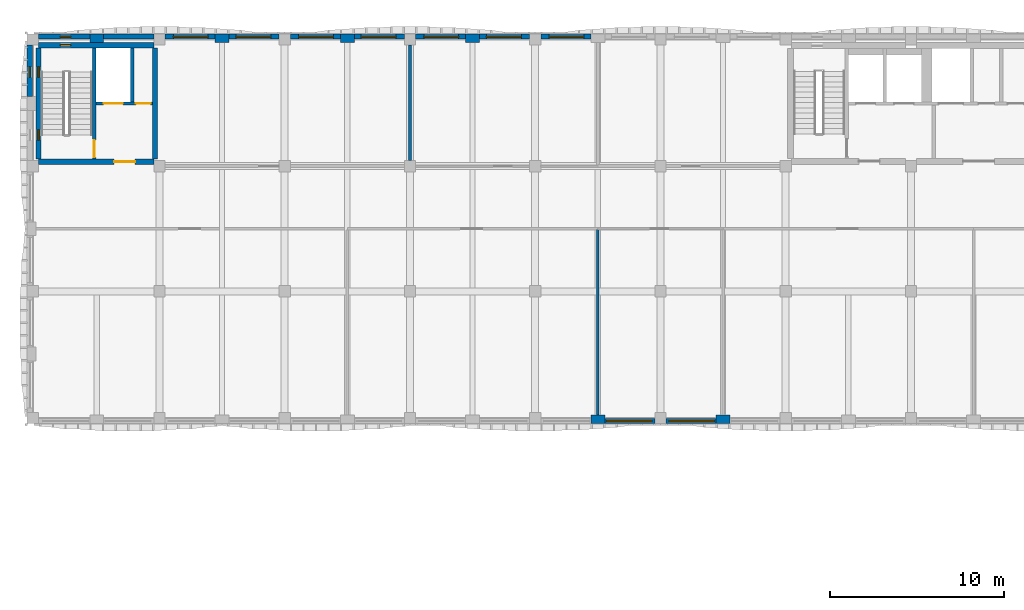
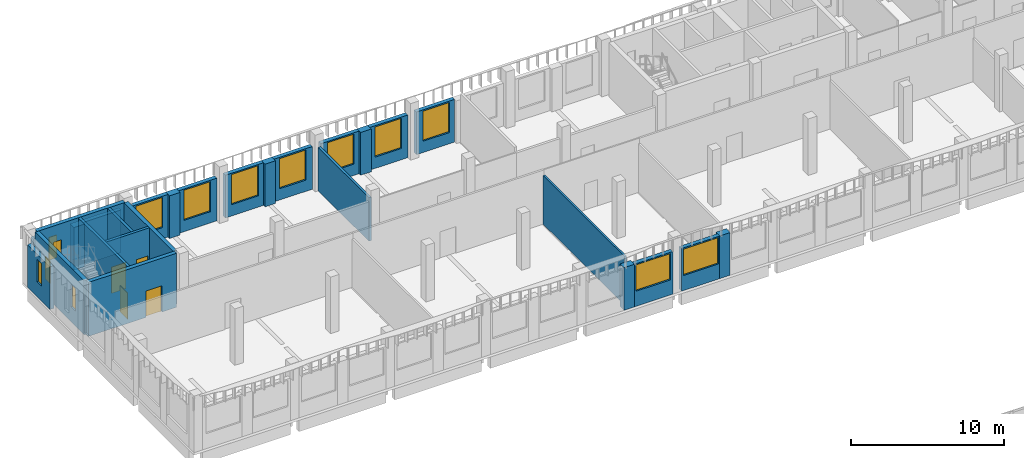
# One storey, part 25 of 54: 27 walls, 14 windows, 4 doors, 18 openings.
"""IFC4 building model written with IfcOpenShell, lengths in metres."""

import ifcopenshell
import ifcopenshell.guid

model = None  # the IFC model being written
_history = None  # IfcOwnerHistory: only IFC2X3 demands one
_inside = {}  # id of a spatial element -> (the spatial element, [elements in it])
_under = {}  # id of a project, library or spatial element -> (it, [spatial elements below it])
_declared = {}  # id of a project -> (the project, [libraries it declares])
_typed = {}  # id of a type object -> (the type object, [elements of that type])
_made_of = {}  # id of a material, layer set ... -> (it, [elements and type objects made of it])


def new_model(schema):
    """Start an empty IFC model of exactly this schema.

    Asked for "IFC4X3", IfcOpenShell would pick the latest addendum, in which some entities
    have other attributes; the version numbers below select the first issue.
    IFC2X3 requires an IfcOwnerHistory on every rooted entity: one is made here for all.
    """
    global model, _history
    if schema == "IFC4X3":
        model = ifcopenshell.file(schema_version=(4, 3, 0, 0))
    else:
        model = ifcopenshell.file(schema=schema)
    _inside.clear()
    _under.clear()
    _declared.clear()
    _typed.clear()
    _made_of.clear()
    _history = None
    if model.schema == "IFC2X3":
        org = make("IfcOrganization", Name="unknown")
        user = make(
            "IfcPersonAndOrganization",
            ThePerson=make("IfcPerson", FamilyName="unknown"),
            TheOrganization=org,
        )
        app = make(
            "IfcApplication",
            ApplicationDeveloper=org,
            Version="unknown",
            ApplicationFullName="unknown",
            ApplicationIdentifier="unknown",
        )
        _history = make(
            "IfcOwnerHistory",
            OwningUser=user,
            OwningApplication=app,
            ChangeAction="ADDED",
            CreationDate=0,
        )
    return model


def make(cls, **values):
    """One entity of the class cls with the attributes given. An attribute that is None is left unset."""
    return model.create_entity(
        cls, **{name: value for name, value in values.items() if value is not None}
    )


def rooted(cls, **values):
    """An entity with a GlobalId (a new one), such as an element, a storey or a relation."""
    return make(cls, GlobalId=ifcopenshell.guid.new(), OwnerHistory=_history, **values)


def si_unit(unit_type, name, prefix=None):
    """IfcSIUnit, for example si_unit("LENGTHUNIT", "METRE", prefix="MILLI")."""
    return make("IfcSIUnit", UnitType=unit_type, Prefix=prefix, Name=name)


def assignment(units):
    """IfcUnitAssignment: the units of a project."""
    return None if units is None else make("IfcUnitAssignment", Units=units)


def point(xyz):
    """IfcCartesianPoint."""
    return None if xyz is None else make("IfcCartesianPoint", Coordinates=xyz)


def direction(xyz):
    """IfcDirection."""
    return None if xyz is None else make("IfcDirection", DirectionRatios=xyz)


def frame(location, z_axis=None, x_axis=None):
    """IfcAxis2Placement3D, a coordinate frame: its origin and axes. An axis left out is left unset."""
    return make(
        "IfcAxis2Placement3D",
        Location=point(location),
        Axis=direction(z_axis),
        RefDirection=direction(x_axis),
    )


def frame_2d(location, x_axis=None):
    """IfcAxis2Placement2D, a coordinate frame in the plane: its origin and x axis."""
    return make(
        "IfcAxis2Placement2D", Location=point(location), RefDirection=direction(x_axis)
    )


def origin():
    """The frame at (0, 0, 0) with its axes left unset."""
    return frame((0.0, 0.0, 0.0))


def place(relative_to, where):
    """IfcLocalPlacement: puts the frame where relative to a parent placement (None: the world)."""
    return make(
        "IfcLocalPlacement", PlacementRelTo=relative_to, RelativePlacement=where
    )


def context(
    kind, dimensions, precision=None, world=None, true_north=None, identifier=None
):
    """IfcGeometricRepresentationContext, for example the 3D "Model" context."""
    return make(
        "IfcGeometricRepresentationContext",
        ContextIdentifier=identifier,
        ContextType=kind,
        CoordinateSpaceDimension=dimensions,
        Precision=precision,
        WorldCoordinateSystem=world,
        TrueNorth=true_north,
    )


def subcontext(parent, identifier, kind, view, scale=None):
    """IfcGeometricRepresentationSubContext, for example "Body" below "Model"."""
    return make(
        "IfcGeometricRepresentationSubContext",
        ContextIdentifier=identifier,
        ContextType=kind,
        ParentContext=parent,
        TargetScale=scale,
        TargetView=view,
    )


def project(units=None, contexts=None):
    """IfcProject with its units and contexts."""
    return rooted(
        "IfcProject",
        Name="project",
        RepresentationContexts=contexts,
        UnitsInContext=assignment(units),
    )


def spatial(cls, under=None, at=None, **own):
    """A site, building, storey or space (cls), placed at a placement, below another one or the project."""
    s = rooted(cls, ObjectPlacement=at, **own)
    if under is not None:
        _under.setdefault(under.id(), (under, []))[1].append(s)
    return s


def profile(cls, at=None, kind="AREA", **sizes):
    """A parametric profile (cls). Its sizes go by their IFC names, for example OverallWidth=200.0."""
    return make(cls, ProfileType=kind, Position=at, **sizes)


def rectangle(**sizes):
    """IfcRectangleProfileDef."""
    return profile("IfcRectangleProfileDef", **sizes)


def extrude(swept, where, along, depth):
    """IfcExtrudedAreaSolid: the profile swept, set in the frame where, extruded along a direction by depth."""
    return make(
        "IfcExtrudedAreaSolid",
        SweptArea=swept,
        Position=where,
        ExtrudedDirection=direction(along),
        Depth=depth,
    )


def shape(context_of_items, identifier, shape_type, items):
    """IfcShapeRepresentation: the items that make up one representation, for example the "Body"."""
    return make(
        "IfcShapeRepresentation",
        ContextOfItems=context_of_items,
        RepresentationIdentifier=identifier,
        RepresentationType=shape_type,
        Items=items,
    )


def material(Name=None, Category=None):
    """IfcMaterial."""
    return make("IfcMaterial", Name=Name, Category=Category)


def layer(
    of_material, thickness, ventilated=None, Name=None, Category=None, Priority=None
):
    """IfcMaterialLayer: one layer of a wall or slab, of a material (None: an air gap)."""
    return make(
        "IfcMaterialLayer",
        Material=of_material,
        LayerThickness=thickness,
        IsVentilated=ventilated,
        Name=Name,
        Category=Category,
        Priority=Priority,
    )


def layer_set(layers, Name=None):
    """IfcMaterialLayerSet."""
    return make("IfcMaterialLayerSet", MaterialLayers=layers, LayerSetName=Name)


def made_of(thing, what):
    """Note that an element or type object is made of a material, layer set ...; save() writes the relation."""
    if what is not None:
        _made_of.setdefault(what.id(), (what, []))[1].append(thing)
    return thing


def type_object(cls, material=None, **own):
    """A type object (cls), such as IfcWallType, which elements share."""
    return made_of(rooted(cls, **own), material)


def element(
    cls,
    number,
    at=None,
    inside=None,
    cuts=None,
    type_object=None,
    material=None,
    context=None,
    identifier="Body",
    shape_type=None,
    held_by="IfcProductDefinitionShape",
    body=None,
    shapes=None,
    **own,
):
    """One element of the class cls, such as IfcWall. Its Tag is "e" and its number.

    at: its placement. inside: the storey or other place that contains it. cuts: it is an
    opening in that element (IfcRelVoidsElement). A single representation is given by context,
    identifier, shape_type and body (its items); several are given by shapes. held_by: the class
    of the entity that holds the representations. save() writes the other relations.
    """
    e = rooted(cls, Tag="e%d" % number, ObjectPlacement=at, **own)
    if body is not None:
        shapes = [shape(context, identifier, shape_type, body)]
    if shapes is not None:
        e.Representation = make(held_by, Representations=shapes)
    if inside is not None:
        _inside.setdefault(inside.id(), (inside, []))[1].append(e)
    if cuts is not None:
        rooted(
            "IfcRelVoidsElement", RelatingBuildingElement=cuts, RelatedOpeningElement=e
        )
    if type_object is not None:
        _typed.setdefault(type_object.id(), (type_object, []))[1].append(e)
    return made_of(e, material)


def fill(opening, filler):
    """IfcRelFillsElement: the door or window that sits in an opening."""
    return rooted(
        "IfcRelFillsElement",
        RelatingOpeningElement=opening,
        RelatedBuildingElement=filler,
    )


def aggregate(whole, parts):
    """IfcRelAggregates: a whole, such as a stair, and the parts it consists of."""
    return rooted("IfcRelAggregates", RelatingObject=whole, RelatedObjects=parts)


def save(model, path):
    """Write the relations noted so far, then the file.

    IfcRelAggregates (storeys below a building ...), IfcRelContainedInSpatialStructure (elements
    in a storey), IfcRelDefinesByType, IfcRelAssociatesMaterial and IfcRelDeclares: one each for
    every whole, place, type object, material and project.
    """
    for whole, parts in _under.values():
        aggregate(whole, parts)
    for where, things in _inside.values():
        rooted(
            "IfcRelContainedInSpatialStructure",
            RelatedElements=things,
            RelatingStructure=where,
        )
    for kind, things in _typed.values():
        rooted("IfcRelDefinesByType", RelatedObjects=things, RelatingType=kind)
    for what, things in _made_of.values():
        rooted("IfcRelAssociatesMaterial", RelatedObjects=things, RelatingMaterial=what)
    for by, libraries in _declared.values():
        rooted("IfcRelDeclares", RelatingContext=by, RelatedDefinitions=libraries)
    model.write(path)


model = new_model("IFC4")

# Units and contexts
model_context = context("Model", 3, precision=1e-05, world=origin(), true_north=direction((0.0, 1.0)))
body_context = subcontext(model_context, "Body", "Model", "MODEL_VIEW")
ifc_project = project(units=[si_unit("LENGTHUNIT", "METRE"), si_unit("AREAUNIT", "SQUARE_METRE"), si_unit("VOLUMEUNIT", "CUBIC_METRE"), si_unit("PLANEANGLEUNIT", "RADIAN"), si_unit("MASSUNIT", "GRAM", prefix="KILO")], contexts=[model_context])

# Site, building, storey
site_placement = place(None, origin())
site = spatial("IfcSite", under=ifc_project, at=site_placement, CompositionType="ELEMENT")
building_placement = place(site_placement, origin())
building = spatial("IfcBuilding", under=site, at=building_placement, Name="Ussher Court Research Institute", CompositionType="ELEMENT")
storey_placement = place(building_placement, frame((0.0, 0.0, 14.39990234375)))
storey = spatial("IfcBuildingStorey", under=building, at=storey_placement, Name="L03", CompositionType="ELEMENT", Elevation=14.39990234375)

# Wall
ifc_material_1 = material(Name="Plasterboard on steel studs with mineral wool", Category="steel")
ifc_layer_1 = layer(ifc_material_1, 0.179931640625)
ifc_layer_set_1 = layer_set([ifc_layer_1], Name="Plasterboard on steel studs with mineral wool")
wall_type_1 = type_object("IfcWallType", Name="Acoustic twin-stud partition 180", PredefinedType="PARTITIONING", material=ifc_layer_set_1)
wall_1_placement = place(storey_placement, frame((24.60009765625, 83.52490234375, 0.0), z_axis=(0.0, 0.0, 1.0), x_axis=(0.0, 1.0, 0.0)))
element("IfcWall", 1, at=wall_1_placement, inside=storey, type_object=wall_type_1, Name="Partition", PredefinedType="PARTITIONING", context=body_context, shape_type="SweptSolid", body=[
    extrude(rectangle(XDim=6.625, YDim=0.179931640625, at=frame_2d((3.3125, 0.0))), origin(), (0.0, 0.0, 1.0), 3.47021484375),
])

# Wall, opening, window
ifc_material_2 = material(Name="Blockwork with cream render", Category="masonry")
ifc_layer_2 = layer(ifc_material_2, 0.300048828125)
ifc_layer_set_2 = layer_set([ifc_layer_2], Name="Blockwork with cream render")
wall_type_2 = type_object("IfcWallType", Name="External wall 300 cream render", PredefinedType="SOLIDWALL", material=ifc_layer_set_2)
wall_2_placement = place(storey_placement, frame((10.52490234375, 90.64990234375, 0.0), z_axis=(0.0, 0.0, 1.0), x_axis=(1.0, 0.0, 0.0)))
wall_2 = element("IfcWall", 2, at=wall_2_placement, inside=storey, type_object=wall_type_2, Name="External wall EW1 L03", PredefinedType="SOLIDWALL", context=body_context, shape_type="SweptSolid", body=[
    extrude(rectangle(XDim=2.875, YDim=0.300048828125, at=frame_2d((1.4375, 0.0))), origin(), (0.0, 0.0, 1.0), 3.400146484375),
])
opening_1_placement = place(wall_2_placement, frame((0.47509765625, 0.0, 0.89990234375)))
opening_1 = element("IfcOpeningElement", 3, at=opening_1_placement, cuts=wall_2, Name="Opening W14", PredefinedType="OPENING", context=body_context, shape_type="SweptSolid", body=[
    extrude(rectangle(XDim=2.0, YDim=2.39990234375, at=frame_2d((1.0, 1.199951171875))), frame((0.0, 0.16015625, 0.0), z_axis=(0.0, -1.0, 0.0), x_axis=(1.0, 0.0, 0.0)), (0.0, 0.0, 1.0), 0.320068359375),
])
ifc_material_3 = material(Name="Bronze anodised aluminium with double glazing", Category="aluminium")
window_type_1 = type_object("IfcWindowType", Name="Seminar and write-up office window 2000x2400", PartitioningType="DOUBLE_PANEL_VERTICAL", PredefinedType="WINDOW", material=ifc_material_3)
window_1_placement = place(opening_1_placement, origin())
window_1 = element("IfcWindow", 4, at=window_1_placement, inside=storey, type_object=window_type_1, Name="Window W14 L03", OverallHeight=2.39990234375, OverallWidth=2.0, PartitioningType="SINGLE_PANEL", PredefinedType="WINDOW", context=body_context, shape_type="SweptSolid", body=[
    extrude(rectangle(XDim=2.0, YDim=2.39990234375, at=frame_2d((1.0, 1.199951171875))), frame((0.0, 0.030029296875, 0.0), z_axis=(0.0, -1.0, 0.0), x_axis=(1.0, 0.0, 0.0)), (0.0, 0.0, 1.0), 0.06005859375),
])
fill(opening_1, window_1)

wall_3_placement = place(storey_placement, frame((14.199951171875, 90.64990234375, 0.0), z_axis=(0.0, 0.0, 1.0), x_axis=(1.0, 0.0, 0.0)))
wall_3 = element("IfcWall", 5, at=wall_3_placement, inside=storey, type_object=wall_type_2, Name="External wall EW1 L03", PredefinedType="SOLIDWALL", context=body_context, shape_type="SweptSolid", body=[
    extrude(rectangle(XDim=2.875, YDim=0.300048828125, at=frame_2d((1.4375, 0.0))), origin(), (0.0, 0.0, 1.0), 3.400146484375),
])
opening_2_placement = place(wall_3_placement, frame((0.39990234375, 0.0, 0.89990234375)))
opening_2 = element("IfcOpeningElement", 6, at=opening_2_placement, cuts=wall_3, Name="Opening W14", PredefinedType="OPENING", context=body_context, shape_type="SweptSolid", body=[
    extrude(rectangle(XDim=2.0, YDim=2.39990234375, at=frame_2d((1.0, 1.199951171875))), frame((0.0, 0.16015625, 0.0), z_axis=(0.0, -1.0, 0.0), x_axis=(1.0, 0.0, 0.0)), (0.0, 0.0, 1.0), 0.320068359375),
])
window_2_placement = place(opening_2_placement, origin())
window_2 = element("IfcWindow", 7, at=window_2_placement, inside=storey, type_object=window_type_1, Name="Window W14 L03", OverallHeight=2.39990234375, OverallWidth=2.0, PartitioningType="SINGLE_PANEL", PredefinedType="WINDOW", context=body_context, shape_type="SweptSolid", body=[
    extrude(rectangle(XDim=2.0, YDim=2.39990234375, at=frame_2d((1.0, 1.199951171875))), frame((0.0, 0.030029296875, 0.0), z_axis=(0.0, -1.0, 0.0), x_axis=(1.0, 0.0, 0.0)), (0.0, 0.0, 1.0), 0.06005859375),
])
fill(opening_2, window_2)

wall_4_placement = place(storey_placement, frame((17.72509765625, 90.64990234375, 0.0), z_axis=(0.0, 0.0, 1.0), x_axis=(1.0, 0.0, 0.0)))
wall_4 = element("IfcWall", 8, at=wall_4_placement, inside=storey, type_object=wall_type_2, Name="External wall EW1 L03", PredefinedType="SOLIDWALL", context=body_context, shape_type="SweptSolid", body=[
    extrude(rectangle(XDim=2.875, YDim=0.300048828125, at=frame_2d((1.4375, 0.0))), origin(), (0.0, 0.0, 1.0), 3.400146484375),
])
opening_3_placement = place(wall_4_placement, frame((0.47509765625, 0.0, 0.89990234375)))
opening_3 = element("IfcOpeningElement", 9, at=opening_3_placement, cuts=wall_4, Name="Opening W14", PredefinedType="OPENING", context=body_context, shape_type="SweptSolid", body=[
    extrude(rectangle(XDim=2.0, YDim=2.39990234375, at=frame_2d((1.0, 1.199951171875))), frame((0.0, 0.16015625, 0.0), z_axis=(0.0, -1.0, 0.0), x_axis=(1.0, 0.0, 0.0)), (0.0, 0.0, 1.0), 0.320068359375),
])
window_3_placement = place(opening_3_placement, origin())
window_3 = element("IfcWindow", 10, at=window_3_placement, inside=storey, type_object=window_type_1, Name="Window W14 L03", OverallHeight=2.39990234375, OverallWidth=2.0, PartitioningType="SINGLE_PANEL", PredefinedType="WINDOW", context=body_context, shape_type="SweptSolid", body=[
    extrude(rectangle(XDim=2.0, YDim=2.39990234375, at=frame_2d((1.0, 1.199951171875))), frame((0.0, 0.030029296875, 0.0), z_axis=(0.0, -1.0, 0.0), x_axis=(1.0, 0.0, 0.0)), (0.0, 0.0, 1.0), 0.06005859375),
])
fill(opening_3, window_3)

wall_5_placement = place(storey_placement, frame((21.39990234375, 90.64990234375, 0.0), z_axis=(0.0, 0.0, 1.0), x_axis=(1.0, 0.0, 0.0)))
wall_5 = element("IfcWall", 11, at=wall_5_placement, inside=storey, type_object=wall_type_2, Name="External wall EW1 L03", PredefinedType="SOLIDWALL", context=body_context, shape_type="SweptSolid", body=[
    extrude(rectangle(XDim=2.875, YDim=0.300048828125, at=frame_2d((1.4375, 0.0))), origin(), (0.0, 0.0, 1.0), 3.400146484375),
])
opening_4_placement = place(wall_5_placement, frame((0.39990234375, 0.0, 0.89990234375)))
opening_4 = element("IfcOpeningElement", 12, at=opening_4_placement, cuts=wall_5, Name="Opening W14", PredefinedType="OPENING", context=body_context, shape_type="SweptSolid", body=[
    extrude(rectangle(XDim=2.0, YDim=2.39990234375, at=frame_2d((1.0, 1.199951171875))), frame((0.0, 0.16015625, 0.0), z_axis=(0.0, -1.0, 0.0), x_axis=(1.0, 0.0, 0.0)), (0.0, 0.0, 1.0), 0.320068359375),
])
window_4_placement = place(opening_4_placement, origin())
window_4 = element("IfcWindow", 13, at=window_4_placement, inside=storey, type_object=window_type_1, Name="Window W14 L03", OverallHeight=2.39990234375, OverallWidth=2.0, PartitioningType="SINGLE_PANEL", PredefinedType="WINDOW", context=body_context, shape_type="SweptSolid", body=[
    extrude(rectangle(XDim=2.0, YDim=2.39990234375, at=frame_2d((1.0, 1.199951171875))), frame((0.0, 0.030029296875, 0.0), z_axis=(0.0, -1.0, 0.0), x_axis=(1.0, 0.0, 0.0)), (0.0, 0.0, 1.0), 0.06005859375),
])
fill(opening_4, window_4)

wall_6_placement = place(storey_placement, frame((24.925048828125, 90.64990234375, 0.0), z_axis=(0.0, 0.0, 1.0), x_axis=(1.0, 0.0, 0.0)))
wall_6 = element("IfcWall", 14, at=wall_6_placement, inside=storey, type_object=wall_type_2, Name="External wall EW1 L03", PredefinedType="SOLIDWALL", context=body_context, shape_type="SweptSolid", body=[
    extrude(rectangle(XDim=2.875, YDim=0.300048828125, at=frame_2d((1.4375, 0.0))), origin(), (0.0, 0.0, 1.0), 3.400146484375),
])
opening_5_placement = place(wall_6_placement, frame((0.47509765625, 0.0, 0.89990234375)))
opening_5 = element("IfcOpeningElement", 15, at=opening_5_placement, cuts=wall_6, Name="Opening W14", PredefinedType="OPENING", context=body_context, shape_type="SweptSolid", body=[
    extrude(rectangle(XDim=2.0, YDim=2.39990234375, at=frame_2d((1.0, 1.199951171875))), frame((0.0, 0.16015625, 0.0), z_axis=(0.0, -1.0, 0.0), x_axis=(1.0, 0.0, 0.0)), (0.0, 0.0, 1.0), 0.320068359375),
])
window_5_placement = place(opening_5_placement, origin())
window_5 = element("IfcWindow", 16, at=window_5_placement, inside=storey, type_object=window_type_1, Name="Window W14 L03", OverallHeight=2.39990234375, OverallWidth=2.0, PartitioningType="SINGLE_PANEL", PredefinedType="WINDOW", context=body_context, shape_type="SweptSolid", body=[
    extrude(rectangle(XDim=2.0, YDim=2.39990234375, at=frame_2d((1.0, 1.199951171875))), frame((0.0, 0.030029296875, 0.0), z_axis=(0.0, -1.0, 0.0), x_axis=(1.0, 0.0, 0.0)), (0.0, 0.0, 1.0), 0.06005859375),
])
fill(opening_5, window_5)

wall_7_placement = place(storey_placement, frame((28.60009765625, 90.64990234375, 0.0), z_axis=(0.0, 0.0, 1.0), x_axis=(1.0, 0.0, 0.0)))
wall_7 = element("IfcWall", 17, at=wall_7_placement, inside=storey, type_object=wall_type_2, Name="External wall EW1 L03", PredefinedType="SOLIDWALL", context=body_context, shape_type="SweptSolid", body=[
    extrude(rectangle(XDim=2.875, YDim=0.300048828125, at=frame_2d((1.4375, 0.0))), origin(), (0.0, 0.0, 1.0), 3.400146484375),
])
opening_6_placement = place(wall_7_placement, frame((0.39990234375, 0.0, 0.89990234375)))
opening_6 = element("IfcOpeningElement", 18, at=opening_6_placement, cuts=wall_7, Name="Opening W14", PredefinedType="OPENING", context=body_context, shape_type="SweptSolid", body=[
    extrude(rectangle(XDim=2.0, YDim=2.39990234375, at=frame_2d((1.0, 1.199951171875))), frame((0.0, 0.16015625, 0.0), z_axis=(0.0, -1.0, 0.0), x_axis=(1.0, 0.0, 0.0)), (0.0, 0.0, 1.0), 0.320068359375),
])
window_6_placement = place(opening_6_placement, origin())
window_6 = element("IfcWindow", 19, at=window_6_placement, inside=storey, type_object=window_type_1, Name="Window W14 L03", OverallHeight=2.39990234375, OverallWidth=2.0, PartitioningType="SINGLE_PANEL", PredefinedType="WINDOW", context=body_context, shape_type="SweptSolid", body=[
    extrude(rectangle(XDim=2.0, YDim=2.39990234375, at=frame_2d((1.0, 1.199951171875))), frame((0.0, 0.030029296875, 0.0), z_axis=(0.0, -1.0, 0.0), x_axis=(1.0, 0.0, 0.0)), (0.0, 0.0, 1.0), 0.06005859375),
])
fill(opening_6, window_6)

wall_8_placement = place(storey_placement, frame((32.125, 90.64990234375, 0.0), z_axis=(0.0, 0.0, 1.0), x_axis=(1.0, 0.0, 0.0)))
wall_8 = element("IfcWall", 20, at=wall_8_placement, inside=storey, type_object=wall_type_2, Name="External wall EW1 L03", PredefinedType="SOLIDWALL", context=body_context, shape_type="SweptSolid", body=[
    extrude(rectangle(XDim=2.875, YDim=0.300048828125, at=frame_2d((1.4375, 0.0))), origin(), (0.0, 0.0, 1.0), 3.400146484375),
])
opening_7_placement = place(wall_8_placement, frame((0.47509765625, 0.0, 0.89990234375)))
opening_7 = element("IfcOpeningElement", 21, at=opening_7_placement, cuts=wall_8, Name="Opening W14", PredefinedType="OPENING", context=body_context, shape_type="SweptSolid", body=[
    extrude(rectangle(XDim=2.0, YDim=2.39990234375, at=frame_2d((1.0, 1.199951171875))), frame((0.0, 0.16015625, 0.0), z_axis=(0.0, -1.0, 0.0), x_axis=(1.0, 0.0, 0.0)), (0.0, 0.0, 1.0), 0.320068359375),
])
window_7_placement = place(opening_7_placement, origin())
window_7 = element("IfcWindow", 22, at=window_7_placement, inside=storey, type_object=window_type_1, Name="Window W14 L03", OverallHeight=2.39990234375, OverallWidth=2.0, PartitioningType="SINGLE_PANEL", PredefinedType="WINDOW", context=body_context, shape_type="SweptSolid", body=[
    extrude(rectangle(XDim=2.0, YDim=2.39990234375, at=frame_2d((1.0, 1.199951171875))), frame((0.0, 0.030029296875, 0.0), z_axis=(0.0, -1.0, 0.0), x_axis=(1.0, 0.0, 0.0)), (0.0, 0.0, 1.0), 0.06005859375),
])
fill(opening_7, window_7)

wall_9_placement = place(storey_placement, frame((42.199951171875, 68.550048828125, 0.0), z_axis=(0.0, 0.0, 1.0), x_axis=(-1.0, 0.0, 0.0)))
wall_9 = element("IfcWall", 23, at=wall_9_placement, inside=storey, type_object=wall_type_2, Name="External wall EW1 L03", PredefinedType="SOLIDWALL", context=body_context, shape_type="SweptSolid", body=[
    extrude(rectangle(XDim=2.875, YDim=0.300048828125, at=frame_2d((1.4375, 0.0))), origin(), (0.0, 0.0, 1.0), 3.400146484375),
])
opening_8_placement = place(wall_9_placement, frame((0.10009765625, 0.0, 1.199951171875)))
opening_8 = element("IfcOpeningElement", 24, at=opening_8_placement, cuts=wall_9, Name="Opening W08", PredefinedType="OPENING", context=body_context, shape_type="SweptSolid", body=[
    extrude(rectangle(XDim=2.60009765625, YDim=2.10009765625, at=frame_2d((1.300048828125, 1.050048828125))), frame((0.0, 0.16015625, 0.0), z_axis=(0.0, -1.0, 0.0), x_axis=(1.0, 0.0, 0.0)), (0.0, 0.0, 1.0), 0.320068359375),
])
ifc_material_4 = material(Name="Bronze anodised aluminium with double glazing", Category="aluminium")
window_type_2 = type_object("IfcWindowType", Name="Dry laboratory bay window 2600x2100", PartitioningType="DOUBLE_PANEL_VERTICAL", PredefinedType="WINDOW", material=ifc_material_4)
window_8_placement = place(opening_8_placement, origin())
window_8 = element("IfcWindow", 25, at=window_8_placement, inside=storey, type_object=window_type_2, Name="Window W08 L03", OverallHeight=2.10009765625, OverallWidth=2.60009765625, PartitioningType="SINGLE_PANEL", PredefinedType="WINDOW", context=body_context, shape_type="SweptSolid", body=[
    extrude(rectangle(XDim=2.60009765625, YDim=2.10009765625, at=frame_2d((1.300048828125, 1.050048828125))), frame((0.0, 0.030029296875, 0.0), z_axis=(0.0, -1.0, 0.0), x_axis=(1.0, 0.0, 0.0)), (0.0, 0.0, 1.0), 0.06005859375),
])
fill(opening_8, window_8)

wall_10_placement = place(storey_placement, frame((38.675048828125, 68.550048828125, 0.0), z_axis=(0.0, 0.0, 1.0), x_axis=(-1.0, 0.0, 0.0)))
wall_10 = element("IfcWall", 26, at=wall_10_placement, inside=storey, type_object=wall_type_2, Name="External wall EW1 L03", PredefinedType="SOLIDWALL", context=body_context, shape_type="SweptSolid", body=[
    extrude(rectangle(XDim=2.875, YDim=0.300048828125, at=frame_2d((1.4375, 0.0))), origin(), (0.0, 0.0, 1.0), 3.400146484375),
])
opening_9_placement = place(wall_10_placement, frame((0.175048828125, 0.0, 1.199951171875)))
opening_9 = element("IfcOpeningElement", 27, at=opening_9_placement, cuts=wall_10, Name="Opening W08", PredefinedType="OPENING", context=body_context, shape_type="SweptSolid", body=[
    extrude(rectangle(XDim=2.60009765625, YDim=2.10009765625, at=frame_2d((1.300048828125, 1.050048828125))), frame((0.0, 0.16015625, 0.0), z_axis=(0.0, -1.0, 0.0), x_axis=(1.0, 0.0, 0.0)), (0.0, 0.0, 1.0), 0.320068359375),
])
window_9_placement = place(opening_9_placement, origin())
window_9 = element("IfcWindow", 28, at=window_9_placement, inside=storey, type_object=window_type_2, Name="Window W08 L03", OverallHeight=2.10009765625, OverallWidth=2.60009765625, PartitioningType="SINGLE_PANEL", PredefinedType="WINDOW", context=body_context, shape_type="SweptSolid", body=[
    extrude(rectangle(XDim=2.60009765625, YDim=2.10009765625, at=frame_2d((1.300048828125, 1.050048828125))), frame((0.0, 0.030029296875, 0.0), z_axis=(0.0, -1.0, 0.0), x_axis=(1.0, 0.0, 0.0)), (0.0, 0.0, 1.0), 0.06005859375),
])
fill(opening_9, window_9)

ifc_material_5 = material(Name="Limestone facing on blockwork", Category="masonry")
ifc_layer_3 = layer(ifc_material_5, 0.300048828125)
ifc_layer_set_3 = layer_set([ifc_layer_3], Name="Limestone facing on blockwork")
wall_type_3 = type_object("IfcWallType", Name="External wall 300 stair enclosure", PredefinedType="SOLIDWALL", material=ifc_layer_set_3)
wall_11_placement = place(storey_placement, frame((2.75, 87.199951171875, 0.0), z_axis=(0.0, 0.0, 1.0), x_axis=(0.0, 1.0, 0.0)))
wall_11 = element("IfcWall", 29, at=wall_11_placement, inside=storey, type_object=wall_type_3, Name="External wall EW5 L03", PredefinedType="SOLIDWALL", context=body_context, shape_type="SweptSolid", body=[
    extrude(rectangle(XDim=2.949951171875, YDim=0.300048828125, at=frame_2d((1.47509765625, 0.0))), origin(), (0.0, 0.0, 1.0), 3.400146484375),
])
opening_10_placement = place(wall_11_placement, frame((1.10009765625, 0.0, 1.199951171875)))
opening_10 = element("IfcOpeningElement", 30, at=opening_10_placement, cuts=wall_11, Name="Opening W25", PredefinedType="OPENING", context=body_context, shape_type="SweptSolid", body=[
    extrude(rectangle(XDim=0.60009765625, YDim=1.800048828125, at=frame_2d((0.300048828125, 0.89990234375))), frame((0.0, 0.16015625, 0.0), z_axis=(0.0, -1.0, 0.0), x_axis=(1.0, 0.0, 0.0)), (0.0, 0.0, 1.0), 0.320068359375),
])
ifc_material_6 = material(Name="Bronze anodised aluminium with double glazing", Category="aluminium")
window_type_3 = type_object("IfcWindowType", Name="Stair light slot window 600x1800 fire-resisting glazing", PartitioningType="SINGLE_PANEL", PredefinedType="WINDOW", material=ifc_material_6)
window_10_placement = place(opening_10_placement, origin())
window_10 = element("IfcWindow", 31, at=window_10_placement, inside=storey, type_object=window_type_3, Name="Window W25 L03", OverallHeight=1.800048828125, OverallWidth=0.60009765625, PartitioningType="SINGLE_PANEL", PredefinedType="WINDOW", context=body_context, shape_type="SweptSolid", body=[
    extrude(rectangle(XDim=0.60009765625, YDim=1.800048828125, at=frame_2d((0.300048828125, 0.89990234375))), frame((0.0, 0.030029296875, 0.0), z_axis=(0.0, -1.0, 0.0), x_axis=(1.0, 0.0, 0.0)), (0.0, 0.0, 1.0), 0.06005859375),
])
fill(opening_10, window_10)

wall_12_placement = place(storey_placement, frame((3.25, 90.64990234375, 0.0), z_axis=(0.0, 0.0, 1.0), x_axis=(1.0, 0.0, 0.0)))
wall_12 = element("IfcWall", 32, at=wall_12_placement, inside=storey, type_object=wall_type_3, Name="External wall EW5 L03", PredefinedType="SOLIDWALL", context=body_context, shape_type="SweptSolid", body=[
    extrude(rectangle(XDim=2.949951171875, YDim=0.300048828125, at=frame_2d((1.47509765625, 0.0))), origin(), (0.0, 0.0, 1.0), 3.400146484375),
])
opening_11_placement = place(wall_12_placement, frame((1.25, 0.0, 1.199951171875)))
opening_11 = element("IfcOpeningElement", 33, at=opening_11_placement, cuts=wall_12, Name="Opening W25", PredefinedType="OPENING", context=body_context, shape_type="SweptSolid", body=[
    extrude(rectangle(XDim=0.60009765625, YDim=1.800048828125, at=frame_2d((0.300048828125, 0.89990234375))), frame((0.0, 0.16015625, 0.0), z_axis=(0.0, -1.0, 0.0), x_axis=(1.0, 0.0, 0.0)), (0.0, 0.0, 1.0), 0.320068359375),
])
window_11_placement = place(opening_11_placement, origin())
window_11 = element("IfcWindow", 34, at=window_11_placement, inside=storey, type_object=window_type_3, Name="Window W25 L03", OverallHeight=1.800048828125, OverallWidth=0.60009765625, PartitioningType="SINGLE_PANEL", PredefinedType="WINDOW", context=body_context, shape_type="SweptSolid", body=[
    extrude(rectangle(XDim=0.60009765625, YDim=1.800048828125, at=frame_2d((0.300048828125, 0.89990234375))), frame((0.0, 0.030029296875, 0.0), z_axis=(0.0, -1.0, 0.0), x_axis=(1.0, 0.0, 0.0)), (0.0, 0.0, 1.0), 0.06005859375),
])
fill(opening_11, window_11)

# Walls
wall_13_placement = place(storey_placement, frame((7.0, 90.64990234375, 0.0), z_axis=(0.0, 0.0, 1.0), x_axis=(1.0, 0.0, 0.0)))
element("IfcWall", 35, at=wall_13_placement, inside=storey, type_object=wall_type_3, Name="External wall EW5 L03", PredefinedType="SOLIDWALL", context=body_context, shape_type="SweptSolid", body=[
    extrude(rectangle(XDim=2.875, YDim=0.300048828125, at=frame_2d((1.4375, 0.0))), origin(), (0.0, 0.0, 1.0), 3.400146484375),
])
ifc_material_7 = material(Name="Plastered blockwork", Category="masonry")
ifc_layer_4 = layer(ifc_material_7, 0.139892578125)
ifc_layer_set_4 = layer_set([ifc_layer_4], Name="Plastered blockwork")
wall_type_4 = type_object("IfcWallType", Name="Laboratory blockwork partition 140", PredefinedType="PARTITIONING", material=ifc_layer_set_4)
wall_14_placement = place(storey_placement, frame((35.39990234375, 68.89990234375, 0.0), z_axis=(0.0, 0.0, 1.0), x_axis=(0.0, 1.0, 0.0)))
element("IfcWall", 36, at=wall_14_placement, inside=storey, type_object=wall_type_4, Name="Partition", PredefinedType="PARTITIONING", context=body_context, shape_type="SweptSolid", body=[
    extrude(rectangle(XDim=10.650146484375, YDim=0.139892578125, at=frame_2d((5.3251953125, 0.0))), origin(), (0.0, 0.0, 1.0), 3.8701171875),
])
ifc_material_8 = material(Name="Blockwork with cream render", Category="masonry")
ifc_layer_5 = layer(ifc_material_8, 0.5)
ifc_layer_set_5 = layer_set([ifc_layer_5], Name="Blockwork with cream render")
wall_type_5 = type_object("IfcWallType", Name="Pier 800x500 cream render", PredefinedType="SOLIDWALL", material=ifc_layer_set_5)
for number, where, z_axis, x_axis, name in (
    (37, (6.199951171875, 90.550048828125, 0.0), (0.0, 0.0, 1.0), (1.0, 0.0, 0.0), "Pier PR1 L03"),
    (38, (13.39990234375, 90.550048828125, 0.0), (0.0, 0.0, 1.0), (1.0, 0.0, 0.0), "Pier PR1 L03"),
):
    element("IfcWall", number, at=place(storey_placement, frame(where, z_axis=z_axis, x_axis=x_axis)), inside=storey, type_object=wall_type_5, Name=name, PredefinedType="SOLIDWALL", context=body_context, shape_type="SweptSolid", body=[
        extrude(rectangle(XDim=0.800048828125, YDim=0.5, at=frame_2d((0.39990234375, 0.0))), origin(), (0.0, 0.0, 1.0), 3.400146484375),
    ])
wall_15_placement = place(storey_placement, frame((20.60009765625, 90.550048828125, 0.0), z_axis=(0.0, 0.0, 1.0), x_axis=(1.0, 0.0, 0.0)))
element("IfcWall", 39, at=wall_15_placement, inside=storey, type_object=wall_type_5, Name="Pier PR1 L03", PredefinedType="SOLIDWALL", context=body_context, shape_type="SweptSolid", body=[
    extrude(rectangle(XDim=0.7998046875, YDim=0.5, at=frame_2d((0.39990234375, 0.0))), origin(), (0.0, 0.0, 1.0), 3.400146484375),
])
for number, where, z_axis, x_axis, name in (
    (40, (27.800048828125, 90.550048828125, 0.0), (0.0, 0.0, 1.0), (1.0, 0.0, 0.0), "Pier PR1 L03"),
    (41, (43.0, 68.64990234375, 0.0), (0.0, 0.0, 1.0), (-1.0, 0.0, 0.0), "Pier PR1 L03"),
    (42, (35.800048828125, 68.64990234375, 0.0), (0.0, 0.0, 1.0), (-1.0, 0.0, 0.0), "Pier PR1 L03"),
):
    element("IfcWall", number, at=place(storey_placement, frame(where, z_axis=z_axis, x_axis=x_axis)), inside=storey, type_object=wall_type_5, Name=name, PredefinedType="SOLIDWALL", context=body_context, shape_type="SweptSolid", body=[
        extrude(rectangle(XDim=0.800048828125, YDim=0.5, at=frame_2d((0.39990234375, 0.0))), origin(), (0.0, 0.0, 1.0), 3.400146484375),
    ])

# Wall, opening, door
ifc_material_9 = material(Name="Concrete C35/45", Category="concrete")
ifc_layer_6 = layer(ifc_material_9, 0.199951171875)
ifc_layer_set_6 = layer_set([ifc_layer_6], Name="Concrete C35/45")
wall_type_6 = type_object("IfcWallType", Name="RC core wall 200", PredefinedType="SHEAR", material=ifc_layer_set_6)
wall_16_placement = place(storey_placement, frame((6.449951171875, 83.60009765625, 0.0), z_axis=(0.0, 0.0, 1.0), x_axis=(0.0, 1.0, 0.0)))
wall_16 = element("IfcWall", 43, at=wall_16_placement, inside=storey, type_object=wall_type_6, Name="Core wall D1", PredefinedType="SHEAR", context=body_context, shape_type="SweptSolid", body=[
    extrude(rectangle(XDim=6.39990234375, YDim=0.199951171875, at=frame_2d((3.199951171875, 0.0))), origin(), (0.0, 0.0, 1.0), 4.300048828125),
])
opening_12_placement = place(wall_16_placement, frame((0.10009765625, 0.0, 0.0)))
opening_12 = element("IfcOpeningElement", 44, at=opening_12_placement, cuts=wall_16, Name="Opening D03001", PredefinedType="OPENING", context=body_context, shape_type="SweptSolid", body=[
    extrude(rectangle(XDim=1.0, YDim=2.10009765625, at=frame_2d((0.5, 1.050048828125))), frame((0.0, 0.10986328125, 0.0), z_axis=(0.0, -1.0, 0.0), x_axis=(1.0, 0.0, 0.0)), (0.0, 0.0, 1.0), 0.219970703125),
])
ifc_material_10 = material(Name="Painted steel faced fire door", Category="steel")
door_type_1 = type_object("IfcDoorType", Name="Fire door 1000x2100 FD60", OperationType="NOTDEFINED", PredefinedType="DOOR", material=ifc_material_10)
door_1_placement = place(opening_12_placement, origin())
door_1 = element("IfcDoor", 45, at=door_1_placement, inside=storey, type_object=door_type_1, Name="Door D03001", OperationType="SINGLE_SWING_LEFT", OverallHeight=2.10009765625, OverallWidth=1.0, PredefinedType="DOOR", context=body_context, shape_type="SweptSolid", body=[
    extrude(rectangle(XDim=1.0, YDim=2.10009765625, at=frame_2d((0.5, 1.050048828125))), frame((0.0, 0.02490234375, 0.0), z_axis=(0.0, -1.0, 0.0), x_axis=(1.0, 0.0, 0.0)), (0.0, 0.0, 1.0), 0.050048828125),
])
fill(opening_12, door_1)

# Wall, openings, doors
wall_17_placement = place(storey_placement, frame((9.800048828125, 86.800048828125, 0.0), z_axis=(0.0, 0.0, 1.0), x_axis=(-1.0, 0.0, 0.0)))
wall_17 = element("IfcWall", 46, at=wall_17_placement, inside=storey, type_object=wall_type_6, Name="Core wall D1", PredefinedType="SHEAR", context=body_context, shape_type="SweptSolid", body=[
    extrude(rectangle(XDim=3.25, YDim=0.199951171875, at=frame_2d((1.625, 0.0))), origin(), (0.0, 0.0, 1.0), 4.300048828125),
])
opening_13_placement = place(wall_17_placement, frame((1.699951171875, 0.0, 0.0)))
opening_13 = element("IfcOpeningElement", 47, at=opening_13_placement, cuts=wall_17, Name="Opening LD39", PredefinedType="OPENING", context=body_context, shape_type="SweptSolid", body=[
    extrude(rectangle(XDim=1.10009765625, YDim=2.10009765625, at=frame_2d((0.550048828125, 1.050048828125))), frame((0.0, 0.10986328125, 0.0), z_axis=(0.0, -1.0, 0.0), x_axis=(1.0, 0.0, 0.0)), (0.0, 0.0, 1.0), 0.219970703125),
])
opening_14_placement = place(wall_17_placement, frame((0.10009765625, 0.0, 0.0)))
opening_14 = element("IfcOpeningElement", 48, at=opening_14_placement, cuts=wall_17, Name="Opening D03003", PredefinedType="OPENING", context=body_context, shape_type="SweptSolid", body=[
    extrude(rectangle(XDim=0.85009765625, YDim=2.10009765625, at=frame_2d((0.425048828125, 1.050048828125))), frame((0.0, 0.10986328125, 0.0), z_axis=(0.0, -1.0, 0.0), x_axis=(1.0, 0.0, 0.0)), (0.0, 0.0, 1.0), 0.219970703125),
])
ifc_material_11 = material(Name="Painted steel faced fire door", Category="steel")
door_type_2 = type_object("IfcDoorType", Name="Fire door 850x2100 FD60", OperationType="NOTDEFINED", PredefinedType="DOOR", material=ifc_material_11)
door_2_placement = place(opening_14_placement, origin())
door_2 = element("IfcDoor", 49, at=door_2_placement, inside=storey, type_object=door_type_2, Name="Door D03003", OperationType="SINGLE_SWING_LEFT", OverallHeight=2.10009765625, OverallWidth=0.85009765625, PredefinedType="DOOR", context=body_context, shape_type="SweptSolid", body=[
    extrude(rectangle(XDim=0.85009765625, YDim=2.10009765625, at=frame_2d((0.425048828125, 1.050048828125))), frame((0.0, 0.02490234375, 0.0), z_axis=(0.0, -1.0, 0.0), x_axis=(1.0, 0.0, 0.0)), (0.0, 0.0, 1.0), 0.050048828125),
])
fill(opening_14, door_2)
ifc_material_12 = material(Name="Stainless steel lift door", Category="steel")
door_type_3 = type_object("IfcDoorType", Name="Lift landing door 1100x2100 sliding", OperationType="DOUBLE_DOOR_SLIDING", PredefinedType="DOOR", material=ifc_material_12)
door_3_placement = place(opening_13_placement, origin())
door_3 = element("IfcDoor", 50, at=door_3_placement, inside=storey, type_object=door_type_3, Name="Landing door D1-1 L03", OperationType="DOUBLE_DOOR_SLIDING", OverallHeight=2.10009765625, OverallWidth=1.10009765625, PredefinedType="DOOR", context=body_context, shape_type="SweptSolid", body=[
    extrude(rectangle(XDim=1.10009765625, YDim=2.10009765625, at=frame_2d((0.550048828125, 1.050048828125))), frame((0.0, 0.02490234375, 0.0), z_axis=(0.0, -1.0, 0.0), x_axis=(1.0, 0.0, 0.0)), (0.0, 0.0, 1.0), 0.050048828125),
])
fill(opening_13, door_3)

# Wall
wall_18_placement = place(storey_placement, frame((8.64990234375, 86.89990234375, 0.0), z_axis=(0.0, 0.0, 1.0), x_axis=(0.0, 1.0, 0.0)))
element("IfcWall", 51, at=wall_18_placement, inside=storey, type_object=wall_type_6, Name="Core wall D1", PredefinedType="SHEAR", context=body_context, shape_type="SweptSolid", body=[
    extrude(rectangle(XDim=3.10009765625, YDim=0.199951171875, at=frame_2d((1.550048828125, 0.0))), origin(), (0.0, 0.0, 1.0), 4.300048828125),
])

# Wall, opening, door
ifc_material_13 = material(Name="Concrete C35/45", Category="concrete")
ifc_layer_7 = layer(ifc_material_13, 0.300048828125)
ifc_layer_set_7 = layer_set([ifc_layer_7], Name="Concrete C35/45")
wall_type_7 = type_object("IfcWallType", Name="RC core wall 300", PredefinedType="SHEAR", material=ifc_layer_set_7)
wall_19_placement = place(storey_placement, frame((3.25, 83.449951171875, 0.0), z_axis=(0.0, 0.0, 1.0), x_axis=(1.0, 0.0, 0.0)))
wall_19 = element("IfcWall", 52, at=wall_19_placement, inside=storey, type_object=wall_type_7, Name="Core wall D1", PredefinedType="SHEAR", context=body_context, shape_type="SweptSolid", body=[
    extrude(rectangle(XDim=6.625, YDim=0.300048828125, at=frame_2d((3.3125, 0.0))), origin(), (0.0, 0.0, 1.0), 4.300048828125),
])
opening_15_placement = place(wall_19_placement, frame((4.35009765625, 0.0, 0.0)))
opening_15 = element("IfcOpeningElement", 53, at=opening_15_placement, cuts=wall_19, Name="Opening D03002", PredefinedType="OPENING", context=body_context, shape_type="SweptSolid", body=[
    extrude(rectangle(XDim=1.199951171875, YDim=2.10009765625, at=frame_2d((0.60009765625, 1.050048828125))), frame((0.0, 0.16015625, 0.0), z_axis=(0.0, -1.0, 0.0), x_axis=(1.0, 0.0, 0.0)), (0.0, 0.0, 1.0), 0.320068359375),
])
ifc_material_14 = material(Name="Painted steel faced fire door", Category="steel")
door_type_4 = type_object("IfcDoorType", Name="Fire door 1200x2100 FD60", OperationType="NOTDEFINED", PredefinedType="DOOR", material=ifc_material_14)
door_4_placement = place(opening_15_placement, origin())
door_4 = element("IfcDoor", 54, at=door_4_placement, inside=storey, type_object=door_type_4, Name="Door D03002", OperationType="SINGLE_SWING_RIGHT", OverallHeight=2.10009765625, OverallWidth=1.199951171875, PredefinedType="DOOR", context=body_context, shape_type="SweptSolid", body=[
    extrude(rectangle(XDim=1.199951171875, YDim=2.10009765625, at=frame_2d((0.60009765625, 1.050048828125))), frame((0.0, 0.02490234375, 0.0), z_axis=(0.0, -1.0, 0.0), x_axis=(1.0, 0.0, 0.0)), (0.0, 0.0, 1.0), 0.050048828125),
])
fill(opening_15, door_4)

# Wall, opening, window
wall_20_placement = place(storey_placement, frame((3.25, 90.14990234375, 0.0), z_axis=(0.0, 0.0, 1.0), x_axis=(1.0, 0.0, 0.0)))
wall_20 = element("IfcWall", 55, at=wall_20_placement, inside=storey, type_object=wall_type_7, Name="Core wall D1", PredefinedType="SHEAR", context=body_context, shape_type="SweptSolid", body=[
    extrude(rectangle(XDim=6.625, YDim=0.300048828125, at=frame_2d((3.3125, 0.0))), origin(), (0.0, 0.0, 1.0), 4.300048828125),
])
opening_16_placement = place(wall_20_placement, frame((1.25, 0.0, 1.199951171875)))
opening_16 = element("IfcOpeningElement", 56, at=opening_16_placement, cuts=wall_20, Name="Opening W25", PredefinedType="OPENING", context=body_context, shape_type="SweptSolid", body=[
    extrude(rectangle(XDim=0.60009765625, YDim=1.800048828125, at=frame_2d((0.300048828125, 0.89990234375))), frame((0.0, 0.16015625, 0.0), z_axis=(0.0, -1.0, 0.0), x_axis=(1.0, 0.0, 0.0)), (0.0, 0.0, 1.0), 0.320068359375),
])
window_12_placement = place(opening_16_placement, origin())
window_12 = element("IfcWindow", 57, at=window_12_placement, inside=storey, type_object=window_type_3, Name="Window stair light D1 L03", OverallHeight=1.800048828125, OverallWidth=0.60009765625, PartitioningType="SINGLE_PANEL", PredefinedType="WINDOW", context=body_context, shape_type="SweptSolid", body=[
    extrude(rectangle(XDim=0.60009765625, YDim=1.800048828125, at=frame_2d((0.300048828125, 0.89990234375))), frame((0.0, 0.030029296875, 0.0), z_axis=(0.0, -1.0, 0.0), x_axis=(1.0, 0.0, 0.0)), (0.0, 0.0, 1.0), 0.06005859375),
])
fill(opening_16, window_12)

# Wall, openings, windows
wall_21_placement = place(storey_placement, frame((3.25, 83.60009765625, 0.0), z_axis=(0.0, 0.0, 1.0), x_axis=(0.0, 1.0, 0.0)))
wall_21 = element("IfcWall", 58, at=wall_21_placement, inside=storey, type_object=wall_type_7, Name="Core wall D1", PredefinedType="SHEAR", context=body_context, shape_type="SweptSolid", body=[
    extrude(rectangle(XDim=6.39990234375, YDim=0.300048828125, at=frame_2d((3.199951171875, 0.0))), origin(), (0.0, 0.0, 1.0), 4.300048828125),
])
opening_17_placement = place(wall_21_placement, frame((1.10009765625, 0.0, 1.199951171875)))
opening_17 = element("IfcOpeningElement", 59, at=opening_17_placement, cuts=wall_21, Name="Opening W25", PredefinedType="OPENING", context=body_context, shape_type="SweptSolid", body=[
    extrude(rectangle(XDim=0.60009765625, YDim=1.800048828125, at=frame_2d((0.300048828125, 0.89990234375))), frame((0.0, 0.16015625, 0.0), z_axis=(0.0, -1.0, 0.0), x_axis=(1.0, 0.0, 0.0)), (0.0, 0.0, 1.0), 0.320068359375),
])
opening_18_placement = place(wall_21_placement, frame((4.699951171875, 0.0, 1.199951171875)))
opening_18 = element("IfcOpeningElement", 60, at=opening_18_placement, cuts=wall_21, Name="Opening W25", PredefinedType="OPENING", context=body_context, shape_type="SweptSolid", body=[
    extrude(rectangle(XDim=0.60009765625, YDim=1.800048828125, at=frame_2d((0.300048828125, 0.89990234375))), frame((0.0, 0.16015625, 0.0), z_axis=(0.0, -1.0, 0.0), x_axis=(1.0, 0.0, 0.0)), (0.0, 0.0, 1.0), 0.320068359375),
])
window_13_placement = place(opening_17_placement, origin())
window_13 = element("IfcWindow", 61, at=window_13_placement, inside=storey, type_object=window_type_3, Name="Window stair light D1 L03", OverallHeight=1.800048828125, OverallWidth=0.60009765625, PartitioningType="SINGLE_PANEL", PredefinedType="WINDOW", context=body_context, shape_type="SweptSolid", body=[
    extrude(rectangle(XDim=0.60009765625, YDim=1.800048828125, at=frame_2d((0.300048828125, 0.89990234375))), frame((0.0, 0.030029296875, 0.0), z_axis=(0.0, -1.0, 0.0), x_axis=(1.0, 0.0, 0.0)), (0.0, 0.0, 1.0), 0.06005859375),
])
fill(opening_17, window_13)
window_14_placement = place(opening_18_placement, origin())
window_14 = element("IfcWindow", 62, at=window_14_placement, inside=storey, type_object=window_type_3, Name="Window stair light D1 L03", OverallHeight=1.800048828125, OverallWidth=0.60009765625, PartitioningType="SINGLE_PANEL", PredefinedType="WINDOW", context=body_context, shape_type="SweptSolid", body=[
    extrude(rectangle(XDim=0.60009765625, YDim=1.800048828125, at=frame_2d((0.300048828125, 0.89990234375))), frame((0.0, 0.030029296875, 0.0), z_axis=(0.0, -1.0, 0.0), x_axis=(1.0, 0.0, 0.0)), (0.0, 0.0, 1.0), 0.06005859375),
])
fill(opening_18, window_14)

# Wall
wall_22_placement = place(storey_placement, frame((9.949951171875, 83.60009765625, 0.0), z_axis=(0.0, 0.0, 1.0), x_axis=(0.0, 1.0, 0.0)))
element("IfcWall", 63, at=wall_22_placement, inside=storey, type_object=wall_type_7, Name="Core wall D1", PredefinedType="SHEAR", context=body_context, shape_type="SweptSolid", body=[
    extrude(rectangle(XDim=6.39990234375, YDim=0.300048828125, at=frame_2d((3.199951171875, 0.0))), origin(), (0.0, 0.0, 1.0), 4.300048828125),
])

save(model, "model.ifc")
